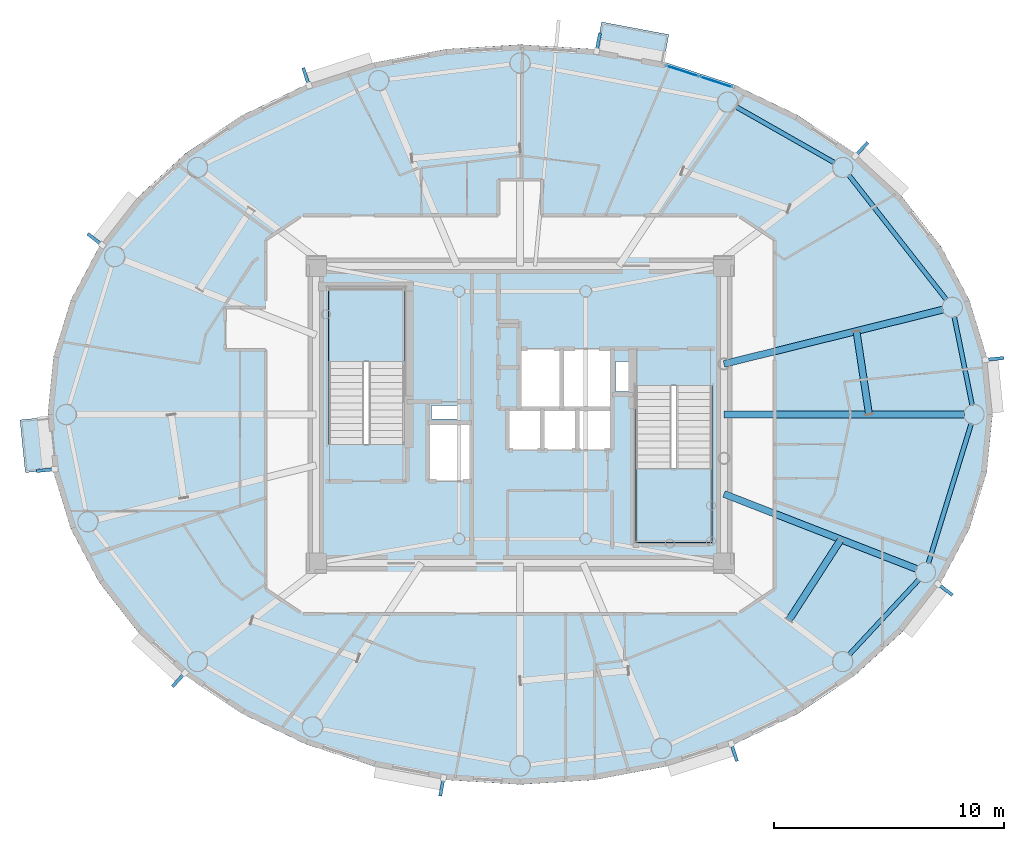
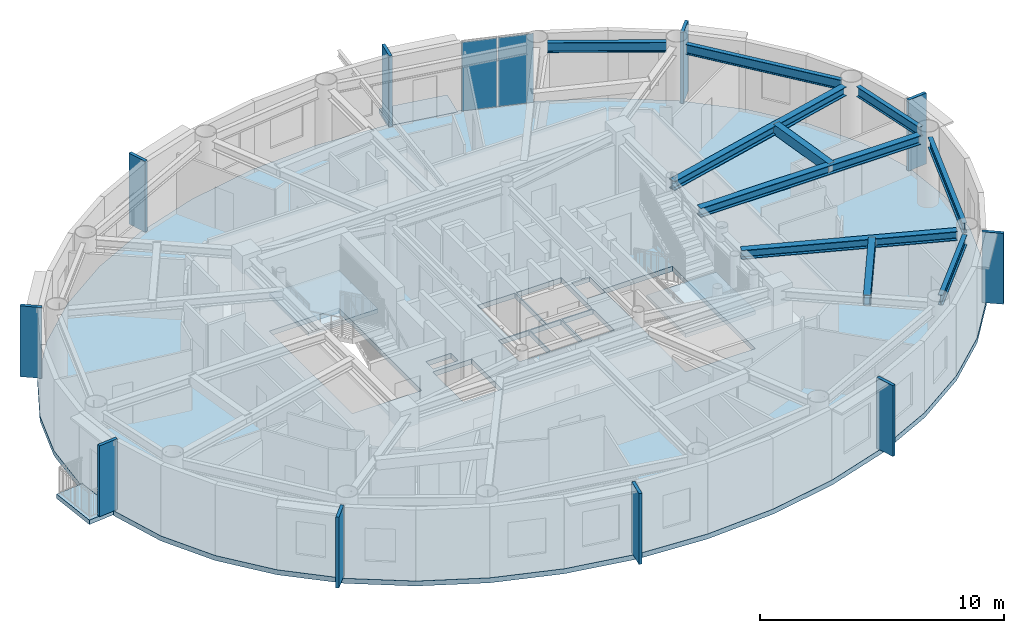
# One storey, part 4 of 17: 12 plates, 10 beams, 5 slabs, 3 elements without a shape of their own.
"""IFC4 building model written with IfcOpenShell, lengths in metres."""

from ifc_helpers import new_model, si_unit, direction, frame, origin, origin_2d, place, context, subcontext, project, spatial, polyline, rectangle, hollow_rectangle, i_section, outline, extrude, source, transform, mapped, material, layer, layer_set, material_profile, profile_set, type_object, element, aggregate, save


model = new_model("IFC4")

# Units and contexts
model_context = context("Model", 3, precision=1e-05, world=origin(), true_north=direction((0.0, 1.0)))
body_context = subcontext(model_context, "Body", "Model", "MODEL_VIEW")
ifc_project = project(units=[si_unit("LENGTHUNIT", "METRE"), si_unit("AREAUNIT", "SQUARE_METRE"), si_unit("VOLUMEUNIT", "CUBIC_METRE"), si_unit("PLANEANGLEUNIT", "RADIAN"), si_unit("MASSUNIT", "GRAM", prefix="KILO")], contexts=[model_context])

# Site, building, storey
site_placement = place(None, origin())
site = spatial("IfcSite", under=ifc_project, at=site_placement, CompositionType="ELEMENT")
building_placement = place(site_placement, origin())
building = spatial("IfcBuilding", under=site, at=building_placement, Name="Linh Dai School and Residence Tower", CompositionType="ELEMENT")
storey_placement = place(building_placement, frame((0.0, 0.0, 327.800048828125)))
storey = spatial("IfcBuildingStorey", under=building, at=storey_placement, Name="L81", CompositionType="ELEMENT", Elevation=327.800048828125)

# Beams
ifc_material_1 = material(Name="Structural Steel S355JR", Category="steel")
ifc_material_profile_1 = material_profile(ifc_material_1, hollow_rectangle(XDim=0.300048828125, YDim=0.5, WallThickness=0.01611328125, at=origin_2d()), Name="RHS 500x300x16")
ifc_profile_set_1 = profile_set([ifc_material_profile_1], Name="Structural Steel S355JR")
beam_type_1 = type_object("IfcBeamType", Name="BM-BX5", PredefinedType="BEAM", material=ifc_profile_set_1)
beam_1_placement = place(storey_placement, frame((51.142333984375, 27.0048828125, 3.300048828125), z_axis=(-0.149229268392, 0.988802622092, 0.0), x_axis=(-0.988802622092, -0.149229268392, 0.0)))
element("IfcBeam", 1, at=beam_1_placement, inside=storey, type_object=beam_type_1, Name="L81 Secondary Circumferential Floor Beam 01", PredefinedType="BEAM", context=body_context, shape_type="SweptSolid", body=[
    extrude(hollow_rectangle(XDim=0.300048828125, YDim=0.5, WallThickness=0.01611328125, at=origin_2d()), origin(), (0.0, 0.0, 1.0), 3.6533203125),
])
beam_2_placement = place(storey_placement, frame((47.66162109375, 18.075927734375, 3.300048828125), z_axis=(0.542324541187, 0.840169085379, 0.0), x_axis=(-0.840169085379, 0.542324541187, 0.0)))
element("IfcBeam", 2, at=beam_2_placement, inside=storey, type_object=beam_type_1, Name="L81 Secondary Circumferential Floor Beam 08", PredefinedType="BEAM", context=body_context, shape_type="SweptSolid", body=[
    extrude(hollow_rectangle(XDim=0.300048828125, YDim=0.5, WallThickness=0.01611328125, at=origin_2d()), origin(), (0.0, 0.0, 1.0), 4.163330078125),
])
ifc_material_profile_2 = material_profile(ifc_material_1, i_section(OverallWidth=0.199951171875, OverallDepth=0.5, WebThickness=0.01025390625, FlangeThickness=0.01611328125, FilletRadius=0.02099609375, at=origin_2d()), Name="IPE 500")
ifc_profile_set_2 = profile_set([ifc_material_profile_2], Name="Structural Steel S355JR")
beam_type_2 = type_object("IfcBeamType", Name="BM-RB50", PredefinedType="BEAM", material=ifc_profile_set_2)
beam_3_placement = place(storey_placement, frame((55.61669921875, 27.41162109375, 3.300048828125), z_axis=(-0.198409502721, 0.980119211744, 0.0), x_axis=(-0.980119211744, -0.198409502721, 0.0)))
element("IfcBeam", 3, at=beam_3_placement, inside=storey, type_object=beam_type_2, Name="L81 Perimeter Elliptical Ring Beam 01", PredefinedType="BEAM", context=body_context, shape_type="SweptSolid", body=[
    extrude(i_section(OverallWidth=0.199951171875, OverallDepth=0.5, WebThickness=0.01025390625, FlangeThickness=0.01611328125, FilletRadius=0.02099609375, at=origin_2d()), origin(), (0.0, 0.0, 1.0), 3.9091796875),
])
beam_4_placement = place(storey_placement, frame((54.498779296875, 31.9853515625, 3.300048828125), z_axis=(-0.616844770958, 0.787084829318, 0.0), x_axis=(-0.787084829318, -0.616844770958, 0.0)))
element("IfcBeam", 4, at=beam_4_placement, inside=storey, type_object=beam_type_2, Name="L81 Perimeter Elliptical Ring Beam 02", PredefinedType="BEAM", context=body_context, shape_type="SweptSolid", body=[
    extrude(i_section(OverallWidth=0.199951171875, OverallDepth=0.5, WebThickness=0.01025390625, FlangeThickness=0.01611328125, FilletRadius=0.02099609375, at=origin_2d()), origin(), (0.0, 0.0, 1.0), 6.869384765625),
])
beam_5_placement = place(storey_placement, frame((49.637451171875, 37.930419921875, 3.300048828125), z_axis=(-0.86923725405, 0.494395182189, 0.0), x_axis=(-0.494395182189, -0.86923725405, 0.0)))
element("IfcBeam", 5, at=beam_5_placement, inside=storey, type_object=beam_type_2, Name="L81 Perimeter Elliptical Ring Beam 03", PredefinedType="BEAM", context=body_context, shape_type="SweptSolid", body=[
    extrude(i_section(OverallWidth=0.199951171875, OverallDepth=0.5, WebThickness=0.01025390625, FlangeThickness=0.01611328125, FilletRadius=0.02099609375, at=origin_2d()), origin(), (0.0, 0.0, 1.0), 4.903076171875),
])
beam_6_placement = place(storey_placement, frame((50.2880859375, 16.5849609375, 3.300048828125), z_axis=(0.680339330162, 0.732897261446, 0.0), x_axis=(-0.732897261446, 0.680339330162, 0.0)))
element("IfcBeam", 6, at=beam_6_placement, inside=storey, type_object=beam_type_2, Name="L81 Perimeter Elliptical Ring Beam 15", PredefinedType="BEAM", context=body_context, shape_type="SweptSolid", body=[
    extrude(i_section(OverallWidth=0.199951171875, OverallDepth=0.5, WebThickness=0.01025390625, FlangeThickness=0.01611328125, FilletRadius=0.02099609375, at=origin_2d()), origin(), (0.0, 0.0, 1.0), 4.440673828125),
])
beam_7_placement = place(storey_placement, frame((53.718505859375, 20.548828125, 3.300048828125), z_axis=(0.293606003102, 0.955926521728, 0.0), x_axis=(-0.955926521728, 0.293606003102, 0.0)))
element("IfcBeam", 7, at=beam_7_placement, inside=storey, type_object=beam_type_2, Name="L81 Perimeter Elliptical Ring Beam 16", PredefinedType="BEAM", context=body_context, shape_type="SweptSolid", body=[
    extrude(i_section(OverallWidth=0.199951171875, OverallDepth=0.5, WebThickness=0.01025390625, FlangeThickness=0.01611328125, FilletRadius=0.02099609375, at=origin_2d()), origin(), (0.0, 0.0, 1.0), 6.32861328125),
])
ifc_material_profile_3 = material_profile(ifc_material_1, i_section(OverallWidth=0.300048828125, OverallDepth=0.449951171875, WebThickness=0.013916015625, FlangeThickness=0.02587890625, FilletRadius=0.027099609375, at=origin_2d()), Name="HEB 450")
ifc_profile_set_3 = profile_set([ifc_material_profile_3], Name="Structural Steel S355JR")
beam_type_3 = type_object("IfcBeamType", Name="BM-RG45", PredefinedType="BEAM", material=ifc_profile_set_3)
beam_8_placement = place(storey_placement, frame((44.85009765625, 27.0, 3.324951171875), z_axis=(1.0, 0.0, 0.0), x_axis=(0.0, 1.0, 0.0)))
element("IfcBeam", 8, at=beam_8_placement, inside=storey, type_object=beam_type_3, Name="L81 Primary Radial Floor Girder 01", PredefinedType="BEAM", context=body_context, shape_type="SweptSolid", body=[
    extrude(i_section(OverallWidth=0.300048828125, OverallDepth=0.449951171875, WebThickness=0.013916015625, FlangeThickness=0.02587890625, FilletRadius=0.027099609375, at=origin_2d()), origin(), (0.0, 0.0, 1.0), 10.429931640625),
])
beam_9_placement = place(storey_placement, frame((44.85009765625, 29.196044921875, 3.324951171875), z_axis=(0.970563583495, 0.24084503398, 0.0), x_axis=(-0.24084503398, 0.970563583495, 0.0)))
element("IfcBeam", 9, at=beam_9_placement, inside=storey, type_object=beam_type_3, Name="L81 Primary Radial Floor Girder 02", PredefinedType="BEAM", context=body_context, shape_type="SweptSolid", body=[
    extrude(i_section(OverallWidth=0.300048828125, OverallDepth=0.449951171875, WebThickness=0.013916015625, FlangeThickness=0.02587890625, FilletRadius=0.027099609375, at=origin_2d()), origin(), (0.0, 0.0, 1.0), 9.7880859375),
])
beam_10_placement = place(storey_placement, frame((44.85009765625, 23.55322265625, 3.324951171875), z_axis=(0.931822607816, -0.362914077384, 0.0), x_axis=(0.362914077384, 0.931822607816, 0.0)))
element("IfcBeam", 10, at=beam_10_placement, inside=storey, type_object=beam_type_3, Name="L81 Primary Radial Floor Girder 16", PredefinedType="BEAM", context=body_context, shape_type="SweptSolid", body=[
    extrude(i_section(OverallWidth=0.300048828125, OverallDepth=0.449951171875, WebThickness=0.013916015625, FlangeThickness=0.02587890625, FilletRadius=0.027099609375, at=origin_2d()), origin(), (0.0, 0.0, 1.0), 8.964599609375),
])

# Slabs
ifc_material_2 = material(Name="Concrete B45 (C35/45)", Category="concrete")
ifc_layer_1 = layer(ifc_material_2, 0.219970703125)
ifc_layer_set_1 = layer_set([ifc_layer_1], Name="Concrete B45 (C35/45)")
slab_type_1 = type_object("IfcSlabType", Name="SLB-BALC-220", PredefinedType="FLOOR", material=ifc_layer_set_1)
slab_1_placement = place(storey_placement, frame((0.0, 0.0, -0.219970703125)))
element("IfcSlab", 11, at=slab_1_placement, inside=storey, type_object=slab_type_1, Name="L81 Sliding Balcony Slab 09", PredefinedType="FLOOR", context=body_context, shape_type="SweptSolid", body=[
    extrude(outline(polyline([(39.298095703125, 42.759033203125), (42.214111328125, 42.210693359375), (42.454345703125, 43.48828125), (39.538330078125, 44.03662109375), (39.298095703125, 42.759033203125)])), origin(), (0.0, 0.0, 1.0), 0.219970703125),
])
slab_2_placement = place(storey_placement, frame((0.0, 0.0, -0.219970703125)))
element("IfcSlab", 12, at=slab_2_placement, inside=storey, type_object=slab_type_1, Name="L81 Sliding Balcony Slab 21", PredefinedType="FLOOR", context=body_context, shape_type="SweptSolid", body=[
    extrude(outline(polyline([(15.820068359375, 24.608154296875), (15.59033203125, 26.89599609375), (14.296630859375, 26.76611328125), (14.526611328125, 24.478271484375), (15.820068359375, 24.608154296875)])), origin(), (0.0, 0.0, 1.0), 0.219970703125),
])
ifc_layer_2 = layer(ifc_material_2, 0.25)
ifc_layer_set_2 = layer_set([ifc_layer_2], Name="Concrete B45 (C35/45)")
slab_type_2 = type_object("IfcSlabType", Name="SLB-FLR250", PredefinedType="FLOOR", material=ifc_layer_set_2)
slab_3_placement = place(storey_placement, frame((0.0, 0.0, -0.25)))
element("IfcSlab", 13, at=slab_3_placement, inside=storey, type_object=slab_type_2, Name="L81 Composite Structural Floor Slab", PredefinedType="FLOOR", context=body_context, shape_type="SweptSolid", body=[
    extrude(outline(polyline([(56.5, 27.0), (56.24755859375, 29.511474609375), (55.49658203125, 31.961181640625), (54.265625, 34.288818359375), (52.5849609375, 36.43701171875), (50.49560546875, 38.3525390625), (48.049560546875, 39.98876953125), (45.306884765625, 41.30517578125), (42.3349609375, 42.269287109375), (39.206787109375, 42.857421875), (36.0, 43.054931640625), (32.793212890625, 42.857421875), (29.6650390625, 42.269287109375), (26.693115234375, 41.30517578125), (23.950439453125, 39.98876953125), (21.50439453125, 38.3525390625), (19.4150390625, 36.43701171875), (17.734375, 34.288818359375), (16.50341796875, 31.961181640625), (15.75244140625, 29.511474609375), (15.5, 27.0), (15.75244140625, 24.488525390625), (16.50341796875, 22.038818359375), (17.734375, 19.711181640625), (19.4150390625, 17.56298828125), (21.50439453125, 15.6474609375), (23.950439453125, 14.01123046875), (26.693115234375, 12.69482421875), (29.6650390625, 11.730712890625), (32.793212890625, 11.142578125), (36.0, 10.945068359375), (39.206787109375, 11.142578125), (42.3349609375, 11.730712890625), (45.306884765625, 12.69482421875), (48.049560546875, 14.01123046875), (50.49560546875, 15.6474609375), (52.5849609375, 17.56298828125), (54.265625, 19.711181640625), (55.49658203125, 22.038818359375), (56.24755859375, 24.488525390625), (56.5, 27.0)]), holes=[polyline([(30.97998046875, 25.699951171875), (30.97998046875, 32.5), (27.679931640625, 32.5), (27.679931640625, 25.699951171875), (30.97998046875, 25.699951171875)]), polyline([(41.02001953125, 28.25), (41.02001953125, 21.449951171875), (44.320068359375, 21.449951171875), (44.320068359375, 28.25), (41.02001953125, 28.25)]), polyline([(35.97998046875, 27.280029296875), (37.77001953125, 27.280029296875), (37.77001953125, 29.820068359375), (35.97998046875, 29.820068359375), (35.97998046875, 27.280029296875)]), polyline([(32.030029296875, 24.1298828125), (33.8701171875, 24.1298828125), (33.8701171875, 26.6201171875), (32.030029296875, 26.6201171875), (32.030029296875, 24.1298828125)]), polyline([(37.830078125, 27.280029296875), (39.969970703125, 27.280029296875), (39.969970703125, 29.820068359375), (37.830078125, 29.820068359375), (37.830078125, 27.280029296875)]), polyline([(35.47998046875, 25.47998046875), (36.929931640625, 25.47998046875), (36.929931640625, 27.219970703125), (35.47998046875, 27.219970703125), (35.47998046875, 25.47998046875)]), polyline([(36.989990234375, 25.47998046875), (38.449951171875, 25.47998046875), (38.449951171875, 27.219970703125), (36.989990234375, 27.219970703125), (36.989990234375, 25.47998046875)]), polyline([(38.510009765625, 25.47998046875), (39.969970703125, 25.47998046875), (39.969970703125, 27.219970703125), (38.510009765625, 27.219970703125), (38.510009765625, 25.47998046875)]), polyline([(40.14990234375, 28.0), (40.14990234375, 29.300048828125), (41.0, 29.300048828125), (41.0, 28.280029296875), (40.989990234375, 28.280029296875), (40.989990234375, 28.0), (40.14990234375, 28.0)]), polyline([(32.14990234375, 26.800048828125), (33.35009765625, 26.800048828125), (33.35009765625, 27.39990234375), (32.14990234375, 27.39990234375), (32.14990234375, 26.800048828125)])]), origin(), (0.0, 0.0, 1.0), 0.25),
])

# Stair, slab
stair_type = type_object("IfcStairType", Name="ST-DOG-1550-R1462", PredefinedType="HALF_TURN_STAIR", material=ifc_material_2)
stair_1_placement = place(storey_placement, origin())
stair_1 = element("IfcStair", 14, at=stair_1_placement, inside=storey, type_object=stair_type, Name="L81 Core Smokeproof Exit Stair ST1", PredefinedType="HALF_TURN_STAIR")
ifc_layer_3 = layer(ifc_material_2, 0.199951171875)
ifc_layer_set_3 = layer_set([ifc_layer_3], Name="Concrete B45 (C35/45)")
slab_type_3 = type_object("IfcSlabType", Name="SLB-ST-LANDING-200", PredefinedType="LANDING", material=ifc_layer_set_3)
slab_4_placement = place(storey_placement, frame((0.0, 0.0, 1.699951171875)))
slab_4 = element("IfcSlab", 15, at=slab_4_placement, type_object=slab_type_3, Name="ST1 landing 1", PredefinedType="LANDING", context=body_context, shape_type="SweptSolid", body=[
    extrude(outline(polyline([(30.97998046875, 29.300048828125), (30.97998046875, 32.5), (27.679931640625, 32.5), (27.679931640625, 29.300048828125), (30.97998046875, 29.300048828125)])), origin(), (0.0, 0.0, 1.0), 0.199951171875),
])
aggregate(stair_1, [slab_4])

stair_2_placement = place(storey_placement, origin())
stair_2 = element("IfcStair", 16, at=stair_2_placement, inside=storey, type_object=stair_type, Name="L81 Core Smokeproof Exit Stair ST2", PredefinedType="HALF_TURN_STAIR")
slab_5_placement = place(storey_placement, frame((0.0, 0.0, 1.699951171875)))
slab_5 = element("IfcSlab", 17, at=slab_5_placement, type_object=slab_type_3, Name="ST2 landing 1", PredefinedType="LANDING", context=body_context, shape_type="SweptSolid", body=[
    extrude(outline(polyline([(41.02001953125, 24.64990234375), (41.02001953125, 21.449951171875), (44.320068359375, 21.449951171875), (44.320068359375, 24.64990234375), (41.02001953125, 24.64990234375)])), origin(), (0.0, 0.0, 1.0), 0.199951171875),
])
aggregate(stair_2, [slab_5])

# Plates
ifc_material_3 = material(Name="Precast Concrete B45 (C35/45)", Category="concrete")
ifc_layer_4 = layer(ifc_material_3, 0.139892578125)
ifc_layer_set_4 = layer_set([ifc_layer_4], Name="Precast Concrete B45 (C35/45)")
plate_type_1 = type_object("IfcPlateType", Name="FIN-TC-900x140", PredefinedType="USERDEFINED", material=ifc_layer_set_4)
shared_shape_1 = source(origin(), body_context, "Body", "SweptSolid", [
    extrude(rectangle(XDim=0.89990234375, YDim=0.139892578125, at=origin_2d()), origin(), (0.0, 0.0, 1.0), 3.550048828125),
])
for number, where, z_axis, x_axis, name in (
    (18, (56.544921875, 29.408447265625, 0.0), (0.0, 0.0, 1.0), (0.994988264886, 0.099991763355, 0.0), "L81 Precast Terracotta Radial Fin 01"),
    (19, (50.7841796875, 38.475341796875, 0.0), (0.0, 0.0, 1.0), (0.675840935412, 0.73704750866, 0.0), "L81 Precast Terracotta Radial Fin 05"),
    (20, (39.38525390625, 43.114013671875, 0.0), (0.0, 0.0, 1.0), (0.184784564405, 0.982779051851, 0.0), "L81 Precast Terracotta Radial Fin 09"),
    (21, (26.72705078125, 41.615966796875, 0.0), (0.0, 0.0, 1.0), (-0.30856528097, 0.951203168298, 0.0), "L81 Precast Terracotta Radial Fin 13"),
    (22, (17.590087890625, 34.56787109375, 0.0), (0.0, 0.0, 1.0), (-0.787553267085, 0.616246583361, 0.0), "L81 Precast Terracotta Radial Fin 17"),
    (23, (15.455078125, 24.591552734375, 0.0), (0.0, 0.0, 1.0), (-0.994988264886, -0.099991763355, 0.0), "L81 Precast Terracotta Radial Fin 21"),
    (24, (21.2158203125, 15.524658203125, 0.0), (0.0, 0.0, 1.0), (-0.675840935412, -0.73704750866, 0.0), "L81 Precast Terracotta Radial Fin 25"),
    (25, (32.61474609375, 10.885986328125, 0.0), (0.0, 0.0, 1.0), (-0.184784564405, -0.982779051851, 0.0), "L81 Precast Terracotta Radial Fin 29"),
    (26, (45.27294921875, 12.384033203125, 0.0), (0.0, 0.0, 1.0), (0.30856528097, -0.951203168298, 0.0), "L81 Precast Terracotta Radial Fin 33"),
    (27, (54.409912109375, 19.43212890625, 0.0), (0.0, 0.0, 1.0), (0.787553267085, -0.616246583361, 0.0), "L81 Precast Terracotta Radial Fin 37"),
):
    element("IfcPlate", number, at=place(storey_placement, frame(where, z_axis=z_axis, x_axis=x_axis)), inside=storey, type_object=plate_type_1, Name=name, ObjectType="RADIAL FIN", PredefinedType="USERDEFINED", context=body_context, shape_type="MappedRepresentation", body=[
        mapped(shared_shape_1, transform((0.0, 0.0, 0.0), x_axis=(1.0, 0.0, 0.0), y_axis=(0.0, 1.0, 0.0), z_axis=(0.0, 0.0, 1.0), scale=1.0)),
    ])

# Curtain wall, plates
ifc_material_4 = material(Name="Aluminium Anodised Curtain Wall", Category="aluminium")
ifc_layer_5 = layer(ifc_material_4, 0.14990234375)
ifc_layer_set_5 = layer_set([ifc_layer_5], Name="Aluminium Anodised Curtain Wall")
curtain_wall_type = type_object("IfcCurtainWallType", Name="CW-SYS-4", PredefinedType="USERDEFINED", material=ifc_layer_set_5)
curtain_wall_placement = place(storey_placement, origin())
curtain_wall = element("IfcCurtainWall", 28, at=curtain_wall_placement, inside=storey, type_object=curtain_wall_type, Name="L81 CW4 Curtain Wall 08", ObjectType="RIBBON CURTAIN WALL", PredefinedType="USERDEFINED")
ifc_material_5 = material(Name="Double Low-E Insulated Glazing", Category="glass")
ifc_layer_6 = layer(ifc_material_5, 0.02587890625)
ifc_layer_set_6 = layer_set([ifc_layer_6], Name="Double Low-E Insulated Glazing")
plate_type_2 = type_object("IfcPlateType", Name="CW-SYS-4-PAN", PredefinedType="CURTAIN_PANEL", material=ifc_layer_set_6)
shared_shape_2 = source(origin(), body_context, "Body", "SweptSolid", [
    extrude(rectangle(XDim=1.47607421875, YDim=0.02587890625, at=origin_2d()), origin(), (0.0, 0.0, 1.0), 3.446044921875),
])
plate_1_placement = place(storey_placement, frame((43.055419921875, 41.904296875, 0.0517578125), z_axis=(0.0, 0.0, 1.0), x_axis=(0.951203168298, -0.30856528097, 0.0)))
plate_1 = element("IfcPlate", 29, at=plate_1_placement, type_object=plate_type_2, Name="CW4 panel 1.1", PredefinedType="CURTAIN_PANEL", context=body_context, shape_type="MappedRepresentation", body=[
    mapped(shared_shape_2, transform((0.0, 0.0, 0.0), x_axis=(1.0, 0.0, 0.0), y_axis=(0.0, 1.0, 0.0), z_axis=(0.0, 0.0, 1.0), scale=1.0)),
])
plate_2_placement = place(storey_placement, frame((44.509033203125, 41.432861328125, 0.0517578125), z_axis=(0.0, 0.0, 1.0), x_axis=(0.951203168298, -0.30856528097, 0.0)))
plate_2 = element("IfcPlate", 30, at=plate_2_placement, type_object=plate_type_2, Name="CW4 panel 2.1", PredefinedType="CURTAIN_PANEL", context=body_context, shape_type="MappedRepresentation", body=[
    mapped(shared_shape_2, transform((0.0, 0.0, 0.0), x_axis=(1.0, 0.0, 0.0), y_axis=(0.0, 1.0, 0.0), z_axis=(0.0, 0.0, 1.0), scale=1.0)),
])
aggregate(curtain_wall, [plate_1, plate_2])

save(model, "model.ifc")
